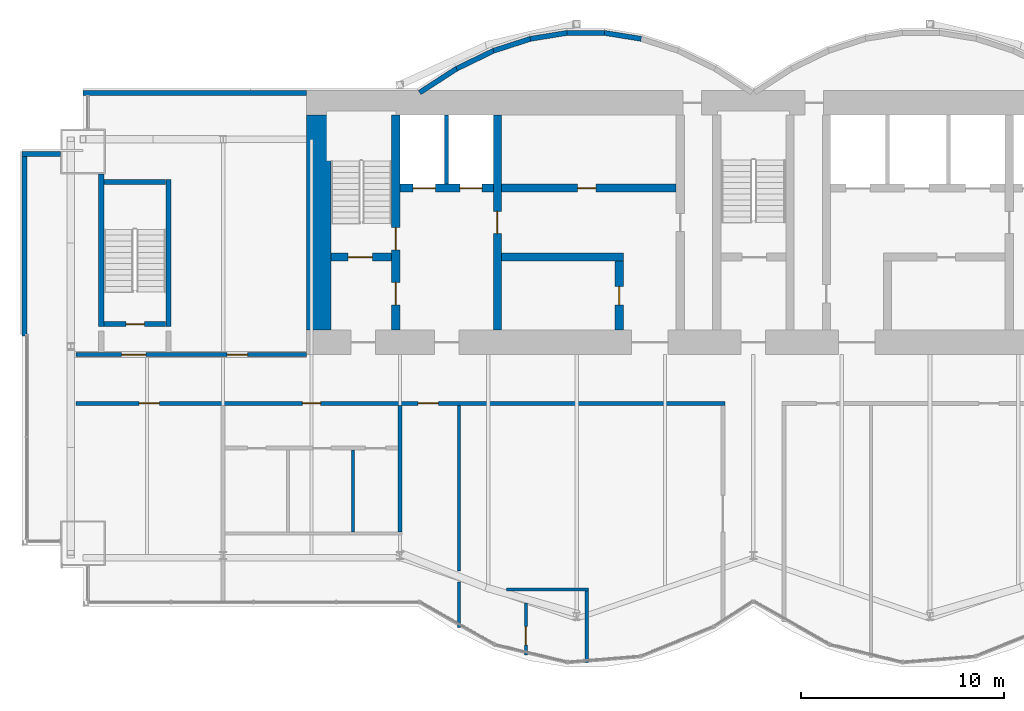
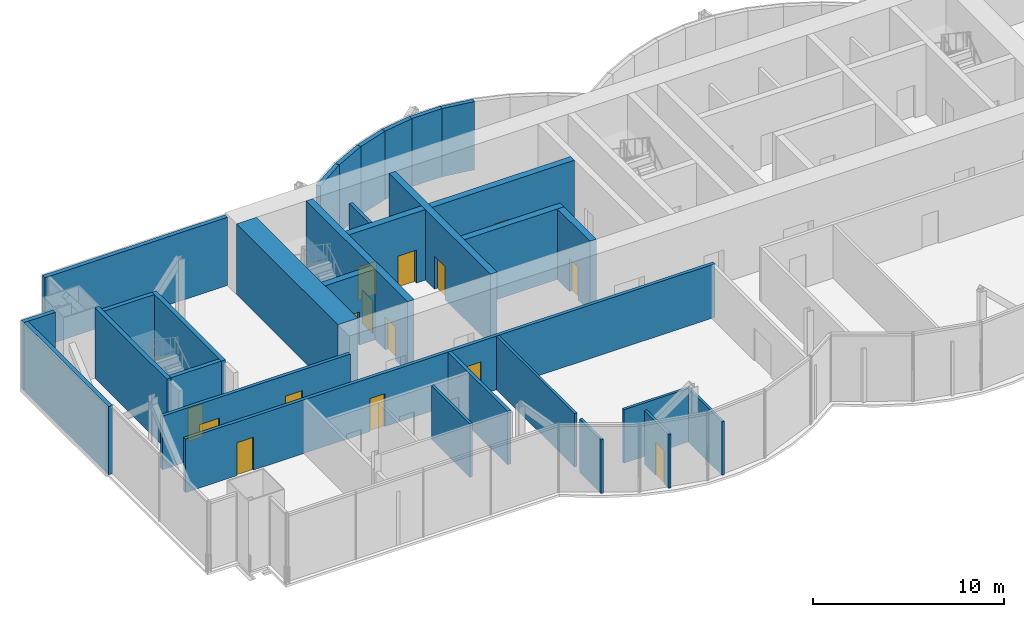
# One storey, part 10 of 16: 30 walls, 15 doors, 15 openings.
"""IFC4 building model written with IfcOpenShell, lengths in metres."""

from ifc_helpers import new_model, si_unit, direction, frame, frame_2d, origin, place, context, subcontext, project, spatial, rectangle, extrude, material, layer, layer_set, layer_usage, type_object, element, fill, save


model = new_model("IFC4")

# Units and contexts
model_context = context("Model", 3, precision=1e-05, world=origin(), true_north=direction((0.0, 1.0)))
body_context = subcontext(model_context, "Body", "Model", "MODEL_VIEW")
ifc_project = project(units=[si_unit("LENGTHUNIT", "METRE"), si_unit("AREAUNIT", "SQUARE_METRE"), si_unit("VOLUMEUNIT", "CUBIC_METRE"), si_unit("PLANEANGLEUNIT", "RADIAN"), si_unit("MASSUNIT", "GRAM", prefix="KILO")], contexts=[model_context])

# Site, building, storey
site_placement = place(None, origin())
site = spatial("IfcSite", under=ifc_project, at=site_placement, CompositionType="ELEMENT")
building_placement = place(site_placement, origin())
building = spatial("IfcBuilding", under=site, at=building_placement, Name="Bicima Exchange Tower", CompositionType="ELEMENT")
storey_placement = place(building_placement, frame((0.0, 0.0, 329.0)))
storey = spatial("IfcBuildingStorey", under=building, at=storey_placement, Name="L74", CompositionType="ELEMENT", Elevation=329.0)

# Wall
ifc_material_1 = material(Name="Gypsum board partition")
ifc_layer_1 = layer(ifc_material_1, 0.199951171875)
ifc_layer_set_1 = layer_set([ifc_layer_1], Name="Gypsum board partition")
wall_type_1 = type_object("IfcWallType", Name="Fire-rated gypsum partition 200 EI120", PredefinedType="PARTITIONING", material=ifc_layer_set_1)
wall_1_placement = place(storey_placement, frame((-15.10009765625, -4.60009765625, 0.0), z_axis=(0.0, 0.0, 1.0), x_axis=(0.0, 1.0, 0.0)))
element("IfcWall", 1, at=wall_1_placement, inside=storey, type_object=wall_type_1, Name="partition wall 9", PredefinedType="PARTITIONING", context=body_context, shape_type="SweptSolid", body=[
    extrude(rectangle(XDim=3.400146484375, YDim=0.199951171875, at=frame_2d((1.7001953125, 0.0))), origin(), (0.0, 0.0, 1.0), 3.418212890625),
])

# Wall, openings, doors
ifc_layer_2 = layer(ifc_material_1, 0.199951171875)
ifc_layer_set_2 = layer_set([ifc_layer_2], Name="Gypsum board partition")
wall_type_2 = type_object("IfcWallType", Name="Fire-rated gypsum partition 200 EI60", PredefinedType="PARTITIONING", material=ifc_layer_set_2)
wall_2_placement = place(storey_placement, frame((-33.340087890625, -15.39990234375, 0.0), z_axis=(0.0, 0.0, 1.0), x_axis=(1.0, 0.0, 0.0)))
wall_2 = element("IfcWall", 2, at=wall_2_placement, inside=storey, type_object=wall_type_2, Name="partition wall 4", PredefinedType="PARTITIONING", context=body_context, shape_type="SweptSolid", body=[
    extrude(rectangle(XDim=31.940185546875, YDim=0.199951171875, at=frame_2d((15.97021484375, 0.0))), origin(), (0.0, 0.0, 1.0), 3.418212890625),
])
opening_1_placement = place(wall_2_placement, frame((3.10009765625, 0.0, 0.0)))
opening_1 = element("IfcOpeningElement", 3, at=opening_1_placement, cuts=wall_2, Name="Opening L74-007", PredefinedType="OPENING", context=body_context, shape_type="SweptSolid", body=[
    extrude(rectangle(XDim=1.0, YDim=2.10009765625, at=frame_2d((0.5, 1.050048828125))), frame((0.0, 0.11181640625, 0.0), z_axis=(0.0, -1.0, 0.0), x_axis=(1.0, 0.0, 0.0)), (0.0, 0.0, 1.0), 0.223876953125),
])
opening_2_placement = place(wall_2_placement, frame((11.139892578125, 0.0, 0.0)))
opening_2 = element("IfcOpeningElement", 4, at=opening_2_placement, cuts=wall_2, Name="Opening L74-008", PredefinedType="OPENING", context=body_context, shape_type="SweptSolid", body=[
    extrude(rectangle(XDim=0.89990234375, YDim=2.10009765625, at=frame_2d((0.449951171875, 1.050048828125))), frame((0.0, 0.11181640625, 0.0), z_axis=(0.0, -1.0, 0.0), x_axis=(1.0, 0.0, 0.0)), (0.0, 0.0, 1.0), 0.223876953125),
])
opening_3_placement = place(wall_2_placement, frame((16.840087890625, 0.0, 0.0)))
opening_3 = element("IfcOpeningElement", 5, at=opening_3_placement, cuts=wall_2, Name="Opening L74-012", PredefinedType="OPENING", context=body_context, shape_type="SweptSolid", body=[
    extrude(rectangle(XDim=1.0, YDim=2.10009765625, at=frame_2d((0.5, 1.050048828125))), frame((0.0, 0.11181640625, 0.0), z_axis=(0.0, -1.0, 0.0), x_axis=(1.0, 0.0, 0.0)), (0.0, 0.0, 1.0), 0.223876953125),
])
ifc_material_2 = material(Name="Steel fire door leaf", Category="steel")
door_type_1 = type_object("IfcDoorType", Name="Door 1000 swing FD30S", OperationType="SINGLE_SWING_LEFT", PredefinedType="DOOR", material=ifc_material_2)
door_1_placement = place(opening_1_placement, frame((1.0, 0.0, 0.0), z_axis=(0.0, 0.0, 1.0), x_axis=(-1.0, 0.0, 0.0)))
door_1 = element("IfcDoor", 6, at=door_1_placement, inside=storey, type_object=door_type_1, Name="Door", OperationType="SINGLE_SWING_LEFT", OverallHeight=2.10009765625, OverallWidth=1.0, PredefinedType="DOOR", context=body_context, shape_type="SweptSolid", body=[
    extrude(rectangle(XDim=1.0, YDim=2.10009765625, at=frame_2d((0.5, 1.050048828125))), frame((0.0, 0.02490234375, 0.0), z_axis=(0.0, -1.0, 0.0), x_axis=(1.0, 0.0, 0.0)), (0.0, 0.0, 1.0), 0.050048828125),
])
fill(opening_1, door_1)
door_2_placement = place(opening_3_placement, frame((1.0, 0.0, 0.0), z_axis=(0.0, 0.0, 1.0), x_axis=(-1.0, 0.0, 0.0)))
door_2 = element("IfcDoor", 7, at=door_2_placement, inside=storey, type_object=door_type_1, Name="Door", OperationType="SINGLE_SWING_RIGHT", OverallHeight=2.10009765625, OverallWidth=1.0, PredefinedType="DOOR", context=body_context, shape_type="SweptSolid", body=[
    extrude(rectangle(XDim=1.0, YDim=2.10009765625, at=frame_2d((0.5, 1.050048828125))), frame((0.0, 0.02490234375, 0.0), z_axis=(0.0, -1.0, 0.0), x_axis=(1.0, 0.0, 0.0)), (0.0, 0.0, 1.0), 0.050048828125),
])
fill(opening_3, door_2)
door_type_2 = type_object("IfcDoorType", Name="Door 900 swing FD30S", OperationType="SINGLE_SWING_LEFT", PredefinedType="DOOR", material=ifc_material_2)
door_3_placement = place(opening_2_placement, frame((0.89990234375, 0.0, 0.0), z_axis=(0.0, 0.0, 1.0), x_axis=(-1.0, 0.0, 0.0)))
door_3 = element("IfcDoor", 8, at=door_3_placement, inside=storey, type_object=door_type_2, Name="Door", OperationType="SINGLE_SWING_RIGHT", OverallHeight=2.10009765625, OverallWidth=0.89990234375, PredefinedType="DOOR", context=body_context, shape_type="SweptSolid", body=[
    extrude(rectangle(XDim=0.89990234375, YDim=2.10009765625, at=frame_2d((0.449951171875, 1.050048828125))), frame((0.0, 0.02490234375, 0.0), z_axis=(0.0, -1.0, 0.0), x_axis=(1.0, 0.0, 0.0)), (0.0, 0.0, 1.0), 0.050048828125),
])
fill(opening_2, door_3)

wall_3_placement = place(storey_placement, frame((-33.340087890625, -13.0, 0.0), z_axis=(0.0, 0.0, 1.0), x_axis=(1.0, 0.0, 0.0)))
wall_3 = element("IfcWall", 9, at=wall_3_placement, inside=storey, type_object=wall_type_2, Name="partition wall 6", PredefinedType="PARTITIONING", context=body_context, shape_type="SweptSolid", body=[
    extrude(rectangle(XDim=11.340087890625, YDim=0.199951171875, at=frame_2d((5.669921875, 0.0))), origin(), (0.0, 0.0, 1.0), 3.418212890625),
])
opening_4_placement = place(wall_3_placement, frame((2.239990234375, 0.0, 0.0)))
opening_4 = element("IfcOpeningElement", 10, at=opening_4_placement, cuts=wall_3, Name="Opening L74-001", PredefinedType="OPENING", context=body_context, shape_type="SweptSolid", body=[
    extrude(rectangle(XDim=1.199951171875, YDim=2.10009765625, at=frame_2d((0.60009765625, 1.050048828125))), frame((0.0, 0.11181640625, 0.0), z_axis=(0.0, -1.0, 0.0), x_axis=(1.0, 0.0, 0.0)), (0.0, 0.0, 1.0), 0.223876953125),
])
opening_5_placement = place(wall_3_placement, frame((7.43994140625, 0.0, 0.0)))
opening_5 = element("IfcOpeningElement", 11, at=opening_5_placement, cuts=wall_3, Name="Opening L74-005", PredefinedType="OPENING", context=body_context, shape_type="SweptSolid", body=[
    extrude(rectangle(XDim=1.0, YDim=2.10009765625, at=frame_2d((0.5, 1.050048828125))), frame((0.0, 0.11181640625, 0.0), z_axis=(0.0, -1.0, 0.0), x_axis=(1.0, 0.0, 0.0)), (0.0, 0.0, 1.0), 0.223876953125),
])
door_4_placement = place(opening_5_placement, origin())
door_4 = element("IfcDoor", 12, at=door_4_placement, inside=storey, type_object=door_type_1, Name="Door", OperationType="SINGLE_SWING_LEFT", OverallHeight=2.10009765625, OverallWidth=1.0, PredefinedType="DOOR", context=body_context, shape_type="SweptSolid", body=[
    extrude(rectangle(XDim=1.0, YDim=2.10009765625, at=frame_2d((0.5, 1.050048828125))), frame((0.0, 0.02490234375, 0.0), z_axis=(0.0, -1.0, 0.0), x_axis=(1.0, 0.0, 0.0)), (0.0, 0.0, 1.0), 0.050048828125),
])
fill(opening_5, door_4)
door_type_3 = type_object("IfcDoorType", Name="Door 1200 swing FD30S", OperationType="SINGLE_SWING_LEFT", PredefinedType="DOOR", material=ifc_material_2)
door_5_placement = place(opening_4_placement, origin())
door_5 = element("IfcDoor", 13, at=door_5_placement, inside=storey, type_object=door_type_3, Name="Door", OperationType="SINGLE_SWING_LEFT", OverallHeight=2.10009765625, OverallWidth=1.199951171875, PredefinedType="DOOR", context=body_context, shape_type="SweptSolid", body=[
    extrude(rectangle(XDim=1.199951171875, YDim=2.10009765625, at=frame_2d((0.60009765625, 1.050048828125))), frame((0.0, 0.02490234375, 0.0), z_axis=(0.0, -1.0, 0.0), x_axis=(1.0, 0.0, 0.0)), (0.0, 0.0, 1.0), 0.050048828125),
])
fill(opening_4, door_5)

# Walls
wall_4_placement = place(storey_placement, frame((-17.39990234375, -21.72509765625, 0.0), z_axis=(0.0, 0.0, 1.0), x_axis=(0.0, 1.0, 0.0)))
element("IfcWall", 14, at=wall_4_placement, inside=storey, type_object=wall_type_2, Name="partition wall 17", PredefinedType="PARTITIONING", context=body_context, shape_type="SweptSolid", body=[
    extrude(rectangle(XDim=6.22509765625, YDim=0.199951171875, at=frame_2d((3.112548828125, 0.0))), origin(), (0.0, 0.0, 1.0), 3.418212890625),
])
ifc_layer_3 = layer(ifc_material_1, 0.14990234375)
ifc_layer_set_3 = layer_set([ifc_layer_3], Name="Gypsum board partition")
wall_type_3 = type_object("IfcWallType", Name="Gypsum partition 150", PredefinedType="PARTITIONING", material=ifc_layer_set_3)
wall_5_placement = place(storey_placement, frame((-12.152587890625, -24.56005859375, 0.0), z_axis=(0.0, 0.0, 1.0), x_axis=(1.0, 0.0, 0.0)))
element("IfcWall", 15, at=wall_5_placement, inside=storey, type_object=wall_type_3, Name="partition wall 1", PredefinedType="PARTITIONING", context=body_context, shape_type="SweptSolid", body=[
    extrude(rectangle(XDim=4.027587890625, YDim=0.14990234375, at=frame_2d((2.013671875, 0.0))), origin(), (0.0, 0.0, 1.0), 3.418212890625),
])
wall_6_placement = place(storey_placement, frame((-19.699951171875, -21.72509765625, 0.0), z_axis=(0.0, 0.0, 1.0), x_axis=(0.0, 1.0, 0.0)))
element("IfcWall", 16, at=wall_6_placement, inside=storey, type_object=wall_type_3, Name="partition wall 16", PredefinedType="PARTITIONING", context=body_context, shape_type="SweptSolid", body=[
    extrude(rectangle(XDim=4.025146484375, YDim=0.14990234375, at=frame_2d((2.0126953125, 0.0))), origin(), (0.0, 0.0, 1.0), 3.418212890625),
])
wall_7_placement = place(storey_placement, frame((-14.5, -26.43994140625, 0.0), z_axis=(0.0, 0.0, 1.0), x_axis=(0.0, 1.0, 0.0)))
element("IfcWall", 17, at=wall_7_placement, inside=storey, type_object=wall_type_3, Name="partition wall 18", PredefinedType="PARTITIONING", context=body_context, shape_type="SweptSolid", body=[
    extrude(rectangle(XDim=2.239990234375, YDim=0.14990234375, at=frame_2d((1.1201171875, 0.0))), origin(), (0.0, 0.0, 1.0), 3.418212890625),
])
wall_8_placement = place(storey_placement, frame((-14.5, -23.64990234375, 0.0), z_axis=(0.0, 0.0, 1.0), x_axis=(0.0, 1.0, 0.0)))
element("IfcWall", 18, at=wall_8_placement, inside=storey, type_object=wall_type_3, Name="partition wall 19", PredefinedType="PARTITIONING", context=body_context, shape_type="SweptSolid", body=[
    extrude(rectangle(XDim=8.14990234375, YDim=0.14990234375, at=frame_2d((4.074951171875, 0.0))), origin(), (0.0, 0.0, 1.0), 3.418212890625),
])

# Wall, opening, door
wall_9_placement = place(storey_placement, frame((-11.199951171875, -27.7900390625, 0.0), z_axis=(0.0, 0.0, 1.0), x_axis=(0.0, 1.0, 0.0)))
wall_9 = element("IfcWall", 19, at=wall_9_placement, inside=storey, type_object=wall_type_3, Name="partition wall 20", PredefinedType="PARTITIONING", context=body_context, shape_type="SweptSolid", body=[
    extrude(rectangle(XDim=2.55615234375, YDim=0.14990234375, at=frame_2d((1.278076171875, 0.0))), origin(), (0.0, 0.0, 1.0), 3.418212890625),
])
opening_6_placement = place(wall_9_placement, frame((0.5, 0.0, 0.0)))
opening_6 = element("IfcOpeningElement", 20, at=opening_6_placement, cuts=wall_9, Name="Opening L74-018", PredefinedType="OPENING", context=body_context, shape_type="SweptSolid", body=[
    extrude(rectangle(XDim=0.89990234375, YDim=2.10009765625, at=frame_2d((0.449951171875, 1.050048828125))), frame((0.0, 0.0869140625, 0.0), z_axis=(0.0, -1.0, 0.0), x_axis=(1.0, 0.0, 0.0)), (0.0, 0.0, 1.0), 0.173828125),
])
ifc_material_3 = material(Name="Timber door leaf", Category="wood")
door_type_4 = type_object("IfcDoorType", Name="Door 900 swing", OperationType="SINGLE_SWING_LEFT", PredefinedType="DOOR", material=ifc_material_3)
door_6_placement = place(opening_6_placement, frame((0.89990234375, 0.0, 0.0), z_axis=(0.0, 0.0, 1.0), x_axis=(-1.0, 0.0, 0.0)))
door_6 = element("IfcDoor", 21, at=door_6_placement, inside=storey, type_object=door_type_4, Name="Door", OperationType="SINGLE_SWING_RIGHT", OverallHeight=2.10009765625, OverallWidth=0.89990234375, PredefinedType="DOOR", context=body_context, shape_type="SweptSolid", body=[
    extrude(rectangle(XDim=0.89990234375, YDim=2.10009765625, at=frame_2d((0.449951171875, 1.050048828125))), frame((0.0, 0.02490234375, 0.0), z_axis=(0.0, -1.0, 0.0), x_axis=(1.0, 0.0, 0.0)), (0.0, 0.0, 1.0), 0.050048828125),
])
fill(opening_6, door_6)

# Walls
wall_10_placement = place(storey_placement, frame((-8.199951171875, -28.159912109375, 0.0), z_axis=(0.0, 0.0, 1.0), x_axis=(0.0, 1.0, 0.0)))
element("IfcWall", 22, at=wall_10_placement, inside=storey, type_object=wall_type_3, Name="partition wall 21", PredefinedType="PARTITIONING", context=body_context, shape_type="SweptSolid", body=[
    extrude(rectangle(XDim=3.52490234375, YDim=0.14990234375, at=frame_2d((1.762451171875, 0.0))), origin(), (0.0, 0.0, 1.0), 3.418212890625),
])
ifc_material_4 = material(Name="Concrete C40/50", Category="concrete")
ifc_layer_4 = layer(ifc_material_4, 1.199951171875)
ifc_layer_set_4 = layer_set([ifc_layer_4], Name="Concrete C40/50")
wall_type_4 = type_object("IfcWallType", Name="RC core wall 1200 C40/50", PredefinedType="SHEAR", material=ifc_layer_set_4)
wall_11_placement = place(storey_placement, frame((-21.39990234375, -11.800048828125, 0.0), z_axis=(0.0, 0.0, 1.0), x_axis=(0.0, 1.0, 0.0)))
element("IfcWall", 23, at=wall_11_placement, inside=storey, type_object=wall_type_4, Name="Core wall west", PredefinedType="SHEAR", context=body_context, shape_type="SweptSolid", body=[
    extrude(rectangle(XDim=10.60009765625, YDim=1.199951171875, at=frame_2d((5.300048828125, 0.0))), origin(), (0.0, 0.0, 1.0), 4.5),
])
ifc_layer_5 = layer(ifc_material_4, 0.39990234375)
ifc_layer_set_5 = layer_set([ifc_layer_5], Name="Concrete C40/50")
wall_type_5 = type_object("IfcWallType", Name="RC core wall 400 C40/50", PredefinedType="SHEAR", material=ifc_layer_set_5)
wall_12_placement = place(storey_placement, frame((-12.39990234375, -8.199951171875, 0.0), z_axis=(0.0, 0.0, 1.0), x_axis=(1.0, 0.0, 0.0)))
element("IfcWall", 24, at=wall_12_placement, inside=storey, type_object=wall_type_5, Name="shear wall 2", PredefinedType="SHEAR", context=body_context, shape_type="SweptSolid", body=[
    extrude(rectangle(XDim=6.0, YDim=0.39990234375, at=frame_2d((3.0, 0.0))), origin(), (0.0, 0.0, 1.0), 4.5),
])

# Wall, openings, doors
wall_13_placement = place(storey_placement, frame((-17.39990234375, -4.800048828125, 0.0), z_axis=(0.0, 0.0, 1.0), x_axis=(1.0, 0.0, 0.0)))
wall_13 = element("IfcWall", 25, at=wall_13_placement, inside=storey, type_object=wall_type_5, Name="shear wall 6", PredefinedType="SHEAR", context=body_context, shape_type="SweptSolid", body=[
    extrude(rectangle(XDim=13.599853515625, YDim=0.39990234375, at=frame_2d((6.7998046875, 0.0))), origin(), (0.0, 0.0, 1.0), 4.5),
])
opening_7_placement = place(wall_13_placement, frame((0.64990234375, 0.0, 0.0)))
opening_7 = element("IfcOpeningElement", 26, at=opening_7_placement, cuts=wall_13, Name="Opening LD-FF1-L74", PredefinedType="OPENING", context=body_context, shape_type="SweptSolid", body=[
    extrude(rectangle(XDim=1.10009765625, YDim=2.10009765625, at=frame_2d((0.550048828125, 1.050048828125))), frame((0.0, 0.2119140625, 0.0), z_axis=(0.0, -1.0, 0.0), x_axis=(1.0, 0.0, 0.0)), (0.0, 0.0, 1.0), 0.423828125),
])
opening_8_placement = place(wall_13_placement, frame((2.949951171875, 0.0, 0.0)))
opening_8 = element("IfcOpeningElement", 27, at=opening_8_placement, cuts=wall_13, Name="Opening LD-FF3-L74", PredefinedType="OPENING", context=body_context, shape_type="SweptSolid", body=[
    extrude(rectangle(XDim=1.10009765625, YDim=2.10009765625, at=frame_2d((0.550048828125, 1.050048828125))), frame((0.0, 0.2119140625, 0.0), z_axis=(0.0, -1.0, 0.0), x_axis=(1.0, 0.0, 0.0)), (0.0, 0.0, 1.0), 0.423828125),
])
opening_9_placement = place(wall_13_placement, frame((8.75, 0.0, 0.0)))
opening_9 = element("IfcOpeningElement", 28, at=opening_9_placement, cuts=wall_13, Name="Opening L74-C12", PredefinedType="OPENING", context=body_context, shape_type="SweptSolid", body=[
    extrude(rectangle(XDim=0.89990234375, YDim=2.10009765625, at=frame_2d((0.449951171875, 1.050048828125))), frame((0.0, 0.2119140625, 0.0), z_axis=(0.0, -1.0, 0.0), x_axis=(1.0, 0.0, 0.0)), (0.0, 0.0, 1.0), 0.423828125),
])
door_7_placement = place(opening_9_placement, origin())
door_7 = element("IfcDoor", 29, at=door_7_placement, inside=storey, type_object=door_type_2, Name="Core door", OperationType="SINGLE_SWING_RIGHT", OverallHeight=2.10009765625, OverallWidth=0.89990234375, PredefinedType="DOOR", context=body_context, shape_type="SweptSolid", body=[
    extrude(rectangle(XDim=0.89990234375, YDim=2.10009765625, at=frame_2d((0.449951171875, 1.050048828125))), frame((0.0, 0.02490234375, 0.0), z_axis=(0.0, -1.0, 0.0), x_axis=(1.0, 0.0, 0.0)), (0.0, 0.0, 1.0), 0.050048828125),
])
fill(opening_9, door_7)
ifc_material_5 = material(Name="Stainless steel", Category="steel")
door_type_5 = type_object("IfcDoorType", Name="Lift landing door 1100 sliding", OperationType="DOUBLE_DOOR_SLIDING", PredefinedType="DOOR", material=ifc_material_5)
door_8_placement = place(opening_7_placement, origin())
door_8 = element("IfcDoor", 30, at=door_8_placement, inside=storey, type_object=door_type_5, Name="Lift landing door FF1", OperationType="DOUBLE_DOOR_SLIDING", OverallHeight=2.10009765625, OverallWidth=1.10009765625, PredefinedType="DOOR", context=body_context, shape_type="SweptSolid", body=[
    extrude(rectangle(XDim=1.10009765625, YDim=2.10009765625, at=frame_2d((0.550048828125, 1.050048828125))), frame((0.0, 0.02490234375, 0.0), z_axis=(0.0, -1.0, 0.0), x_axis=(1.0, 0.0, 0.0)), (0.0, 0.0, 1.0), 0.050048828125),
])
fill(opening_7, door_8)
door_9_placement = place(opening_8_placement, origin())
door_9 = element("IfcDoor", 31, at=door_9_placement, inside=storey, type_object=door_type_5, Name="Lift landing door FF3", OperationType="DOUBLE_DOOR_SLIDING", OverallHeight=2.10009765625, OverallWidth=1.10009765625, PredefinedType="DOOR", context=body_context, shape_type="SweptSolid", body=[
    extrude(rectangle(XDim=1.10009765625, YDim=2.10009765625, at=frame_2d((0.550048828125, 1.050048828125))), frame((0.0, 0.02490234375, 0.0), z_axis=(0.0, -1.0, 0.0), x_axis=(1.0, 0.0, 0.0)), (0.0, 0.0, 1.0), 0.050048828125),
])
fill(opening_8, door_9)

# Wall, opening, door
wall_14_placement = place(storey_placement, frame((-12.60009765625, -11.800048828125, 0.0), z_axis=(0.0, 0.0, 1.0), x_axis=(0.0, 1.0, 0.0)))
wall_14 = element("IfcWall", 32, at=wall_14_placement, inside=storey, type_object=wall_type_5, Name="shear wall 10", PredefinedType="SHEAR", context=body_context, shape_type="SweptSolid", body=[
    extrude(rectangle(XDim=10.60009765625, YDim=0.39990234375, at=frame_2d((5.300048828125, 0.0))), origin(), (0.0, 0.0, 1.0), 4.5),
])
opening_10_placement = place(wall_14_placement, frame((4.75, 0.0, 0.0)))
opening_10 = element("IfcOpeningElement", 33, at=opening_10_placement, cuts=wall_14, Name="Opening L74-C07", PredefinedType="OPENING", context=body_context, shape_type="SweptSolid", body=[
    extrude(rectangle(XDim=1.10009765625, YDim=2.10009765625, at=frame_2d((0.550048828125, 1.050048828125))), frame((0.0, 0.2119140625, 0.0), z_axis=(0.0, -1.0, 0.0), x_axis=(1.0, 0.0, 0.0)), (0.0, 0.0, 1.0), 0.423828125),
])
door_type_6 = type_object("IfcDoorType", Name="Door 1100 swing FD60S", OperationType="SINGLE_SWING_LEFT", PredefinedType="DOOR", material=ifc_material_2)
door_10_placement = place(opening_10_placement, origin())
door_10 = element("IfcDoor", 34, at=door_10_placement, inside=storey, type_object=door_type_6, Name="Core door", OperationType="SINGLE_SWING_LEFT", OverallHeight=2.10009765625, OverallWidth=1.10009765625, PredefinedType="DOOR", context=body_context, shape_type="SweptSolid", body=[
    extrude(rectangle(XDim=1.10009765625, YDim=2.10009765625, at=frame_2d((0.550048828125, 1.050048828125))), frame((0.0, 0.02490234375, 0.0), z_axis=(0.0, -1.0, 0.0), x_axis=(1.0, 0.0, 0.0)), (0.0, 0.0, 1.0), 0.050048828125),
])
fill(opening_10, door_10)

wall_15_placement = place(storey_placement, frame((-6.60009765625, -11.800048828125, 0.0), z_axis=(0.0, 0.0, 1.0), x_axis=(0.0, 1.0, 0.0)))
wall_15 = element("IfcWall", 35, at=wall_15_placement, inside=storey, type_object=wall_type_5, Name="shear wall 11", PredefinedType="SHEAR", context=body_context, shape_type="SweptSolid", body=[
    extrude(rectangle(XDim=3.400146484375, YDim=0.39990234375, at=frame_2d((1.7001953125, 0.0))), origin(), (0.0, 0.0, 1.0), 4.5),
])
opening_11_placement = place(wall_15_placement, frame((1.25, 0.0, 0.0)))
opening_11 = element("IfcOpeningElement", 36, at=opening_11_placement, cuts=wall_15, Name="Opening L74-C13", PredefinedType="OPENING", context=body_context, shape_type="SweptSolid", body=[
    extrude(rectangle(XDim=0.89990234375, YDim=2.10009765625, at=frame_2d((0.449951171875, 1.050048828125))), frame((0.0, 0.2119140625, 0.0), z_axis=(0.0, -1.0, 0.0), x_axis=(1.0, 0.0, 0.0)), (0.0, 0.0, 1.0), 0.423828125),
])
door_11_placement = place(opening_11_placement, origin())
door_11 = element("IfcDoor", 37, at=door_11_placement, inside=storey, type_object=door_type_2, Name="Core door", OperationType="SINGLE_SWING_LEFT", OverallHeight=2.10009765625, OverallWidth=0.89990234375, PredefinedType="DOOR", context=body_context, shape_type="SweptSolid", body=[
    extrude(rectangle(XDim=0.89990234375, YDim=2.10009765625, at=frame_2d((0.449951171875, 1.050048828125))), frame((0.0, 0.02490234375, 0.0), z_axis=(0.0, -1.0, 0.0), x_axis=(1.0, 0.0, 0.0)), (0.0, 0.0, 1.0), 0.050048828125),
])
fill(opening_11, door_11)

ifc_material_6 = material(Name="Concrete C50/60", Category="concrete")
ifc_layer_6 = layer(ifc_material_6, 0.39990234375)
ifc_layer_set_6 = layer_set([ifc_layer_6], Name="Concrete C50/60")
wall_type_6 = type_object("IfcWallType", Name="RC core wall 400 C50/60", PredefinedType="SHEAR", material=ifc_layer_set_6)
wall_16_placement = place(storey_placement, frame((-20.800048828125, -8.199951171875, 0.0), z_axis=(0.0, 0.0, 1.0), x_axis=(1.0, 0.0, 0.0)))
wall_16 = element("IfcWall", 38, at=wall_16_placement, inside=storey, type_object=wall_type_6, Name="stair wall 1", PredefinedType="SHEAR", context=body_context, shape_type="SweptSolid", body=[
    extrude(rectangle(XDim=3.0, YDim=0.39990234375, at=frame_2d((1.5, 0.0))), origin(), (0.0, 0.0, 1.0), 4.5),
])
opening_12_placement = place(wall_16_placement, frame((0.85009765625, 0.0, 0.0)))
opening_12 = element("IfcOpeningElement", 39, at=opening_12_placement, cuts=wall_16, Name="Opening L74-C01", PredefinedType="OPENING", context=body_context, shape_type="SweptSolid", body=[
    extrude(rectangle(XDim=1.199951171875, YDim=2.10009765625, at=frame_2d((0.60009765625, 1.050048828125))), frame((0.0, 0.2119140625, 0.0), z_axis=(0.0, -1.0, 0.0), x_axis=(1.0, 0.0, 0.0)), (0.0, 0.0, 1.0), 0.423828125),
])
door_type_7 = type_object("IfcDoorType", Name="Door 1200 swing FD60S", OperationType="SINGLE_SWING_LEFT", PredefinedType="DOOR", material=ifc_material_2)
door_12_placement = place(opening_12_placement, origin())
door_12 = element("IfcDoor", 40, at=door_12_placement, inside=storey, type_object=door_type_7, Name="Core door", OperationType="SINGLE_SWING_LEFT", OverallHeight=2.10009765625, OverallWidth=1.199951171875, PredefinedType="DOOR", context=body_context, shape_type="SweptSolid", body=[
    extrude(rectangle(XDim=1.199951171875, YDim=2.10009765625, at=frame_2d((0.60009765625, 1.050048828125))), frame((0.0, 0.02490234375, 0.0), z_axis=(0.0, -1.0, 0.0), x_axis=(1.0, 0.0, 0.0)), (0.0, 0.0, 1.0), 0.050048828125),
])
fill(opening_12, door_12)

# Wall, openings, doors
wall_17_placement = place(storey_placement, frame((-17.60009765625, -11.800048828125, 0.0), z_axis=(0.0, 0.0, 1.0), x_axis=(0.0, 1.0, 0.0)))
wall_17 = element("IfcWall", 41, at=wall_17_placement, inside=storey, type_object=wall_type_6, Name="stair wall 8", PredefinedType="SHEAR", context=body_context, shape_type="SweptSolid", body=[
    extrude(rectangle(XDim=10.60009765625, YDim=0.39990234375, at=frame_2d((5.300048828125, 0.0))), origin(), (0.0, 0.0, 1.0), 4.5),
])
opening_13_placement = place(wall_17_placement, frame((1.25, 0.0, 0.0)))
opening_13 = element("IfcOpeningElement", 42, at=opening_13_placement, cuts=wall_17, Name="Opening L74-C02", PredefinedType="OPENING", context=body_context, shape_type="SweptSolid", body=[
    extrude(rectangle(XDim=1.10009765625, YDim=2.10009765625, at=frame_2d((0.550048828125, 1.050048828125))), frame((0.0, 0.2119140625, 0.0), z_axis=(0.0, -1.0, 0.0), x_axis=(1.0, 0.0, 0.0)), (0.0, 0.0, 1.0), 0.423828125),
])
opening_14_placement = place(wall_17_placement, frame((3.949951171875, 0.0, 0.0)))
opening_14 = element("IfcOpeningElement", 43, at=opening_14_placement, cuts=wall_17, Name="Opening L74-C06", PredefinedType="OPENING", context=body_context, shape_type="SweptSolid", body=[
    extrude(rectangle(XDim=1.10009765625, YDim=2.10009765625, at=frame_2d((0.550048828125, 1.050048828125))), frame((0.0, 0.2119140625, 0.0), z_axis=(0.0, -1.0, 0.0), x_axis=(1.0, 0.0, 0.0)), (0.0, 0.0, 1.0), 0.423828125),
])
door_13_placement = place(opening_13_placement, frame((1.10009765625, 0.0, 0.0), z_axis=(0.0, 0.0, 1.0), x_axis=(-1.0, 0.0, 0.0)))
door_13 = element("IfcDoor", 44, at=door_13_placement, inside=storey, type_object=door_type_6, Name="Core door", OperationType="SINGLE_SWING_LEFT", OverallHeight=2.10009765625, OverallWidth=1.10009765625, PredefinedType="DOOR", context=body_context, shape_type="SweptSolid", body=[
    extrude(rectangle(XDim=1.10009765625, YDim=2.10009765625, at=frame_2d((0.550048828125, 1.050048828125))), frame((0.0, 0.02490234375, 0.0), z_axis=(0.0, -1.0, 0.0), x_axis=(1.0, 0.0, 0.0)), (0.0, 0.0, 1.0), 0.050048828125),
])
fill(opening_13, door_13)
door_14_placement = place(opening_14_placement, frame((1.10009765625, 0.0, 0.0), z_axis=(0.0, 0.0, 1.0), x_axis=(-1.0, 0.0, 0.0)))
door_14 = element("IfcDoor", 45, at=door_14_placement, inside=storey, type_object=door_type_6, Name="Core door", OperationType="SINGLE_SWING_LEFT", OverallHeight=2.10009765625, OverallWidth=1.10009765625, PredefinedType="DOOR", context=body_context, shape_type="SweptSolid", body=[
    extrude(rectangle(XDim=1.10009765625, YDim=2.10009765625, at=frame_2d((0.550048828125, 1.050048828125))), frame((0.0, 0.02490234375, 0.0), z_axis=(0.0, -1.0, 0.0), x_axis=(1.0, 0.0, 0.0)), (0.0, 0.0, 1.0), 0.050048828125),
])
fill(opening_14, door_14)

# Walls
ifc_layer_7 = layer(ifc_material_6, 0.25)
ifc_layer_set_7 = layer_set([ifc_layer_7], Name="Concrete C50/60")
wall_type_7 = type_object("IfcWallType", Name="RC stair enclosure wall 250 C50/60", PredefinedType="SHEAR", material=ifc_layer_set_7)
wall_18_placement = place(storey_placement, frame((-32.10009765625, -11.625, 0.0), z_axis=(0.0, 0.0, 1.0), x_axis=(0.0, 1.0, 0.0)))
element("IfcWall", 46, at=wall_18_placement, inside=storey, type_object=wall_type_7, Name="West end exit stair wall W", PredefinedType="SHEAR", context=body_context, shape_type="SweptSolid", body=[
    extrude(rectangle(XDim=7.52490234375, YDim=0.25, at=frame_2d((3.762451171875, 0.0))), origin(), (0.0, 0.0, 1.0), 4.5),
])
wall_19_placement = place(storey_placement, frame((-28.800048828125, -11.625, 0.0), z_axis=(0.0, 0.0, 1.0), x_axis=(0.0, 1.0, 0.0)))
element("IfcWall", 47, at=wall_19_placement, inside=storey, type_object=wall_type_7, Name="West end exit stair wall E", PredefinedType="SHEAR", context=body_context, shape_type="SweptSolid", body=[
    extrude(rectangle(XDim=7.25, YDim=0.25, at=frame_2d((3.625, 0.0))), origin(), (0.0, 0.0, 1.0), 4.5),
])

# Wall, opening, door
wall_20_placement = place(storey_placement, frame((-31.97509765625, -11.5, 0.0), z_axis=(0.0, 0.0, 1.0), x_axis=(1.0, 0.0, 0.0)))
wall_20 = element("IfcWall", 48, at=wall_20_placement, inside=storey, type_object=wall_type_7, Name="West end exit stair wall S", PredefinedType="SHEAR", context=body_context, shape_type="SweptSolid", body=[
    extrude(rectangle(XDim=3.050048828125, YDim=0.25, at=frame_2d((1.52490234375, 0.0))), origin(), (0.0, 0.0, 1.0), 4.5),
])
opening_15_placement = place(wall_20_placement, frame((1.10009765625, 0.0, 0.0)))
opening_15 = element("IfcOpeningElement", 49, at=opening_15_placement, cuts=wall_20, Name="Opening L74-002", PredefinedType="OPENING", context=body_context, shape_type="SweptSolid", body=[
    extrude(rectangle(XDim=0.89990234375, YDim=2.10009765625, at=frame_2d((0.449951171875, 1.050048828125))), frame((0.0, 0.136962890625, 0.0), z_axis=(0.0, -1.0, 0.0), x_axis=(1.0, 0.0, 0.0)), (0.0, 0.0, 1.0), 0.27392578125),
])
door_type_8 = type_object("IfcDoorType", Name="Door 900 swing FD60S", OperationType="SINGLE_SWING_LEFT", PredefinedType="DOOR", material=ifc_material_2)
door_15_placement = place(opening_15_placement, origin())
door_15 = element("IfcDoor", 50, at=door_15_placement, inside=storey, type_object=door_type_8, Name="Door", OperationType="SINGLE_SWING_LEFT", OverallHeight=2.10009765625, OverallWidth=0.89990234375, PredefinedType="DOOR", context=body_context, shape_type="SweptSolid", body=[
    extrude(rectangle(XDim=0.89990234375, YDim=2.10009765625, at=frame_2d((0.449951171875, 1.050048828125))), frame((0.0, 0.02490234375, 0.0), z_axis=(0.0, -1.0, 0.0), x_axis=(1.0, 0.0, 0.0)), (0.0, 0.0, 1.0), 0.050048828125),
])
fill(opening_15, door_15)

# Walls
wall_21_placement = place(storey_placement, frame((-31.97509765625, -4.5, 0.0), z_axis=(0.0, 0.0, 1.0), x_axis=(1.0, 0.0, 0.0)))
element("IfcWall", 51, at=wall_21_placement, inside=storey, type_object=wall_type_7, Name="West end exit stair wall N", PredefinedType="SHEAR", context=body_context, shape_type="SweptSolid", body=[
    extrude(rectangle(XDim=3.050048828125, YDim=0.25, at=frame_2d((1.52490234375, 0.0))), origin(), (0.0, 0.0, 1.0), 4.5),
])
ifc_layer_8 = layer(ifc_material_4, 0.25)
ifc_layer_set_8 = layer_set([ifc_layer_8], Name="Concrete C40/50")
ifc_layer_usage = layer_usage(ifc_layer_set_8, "AXIS2", "POSITIVE", -0.125)
wall_type_8 = type_object("IfcWallType", Name="Rear backup wall 250", PredefinedType="STANDARD", material=ifc_layer_set_8)
wall_22_placement = place(storey_placement, frame((-5.52001953125, 2.543212890625, 0.0), z_axis=(0.0, 0.0, 1.0), x_axis=(-0.987181718931, 0.159600293885, 0.0)))
element("IfcWall", 52, at=wall_22_placement, inside=storey, type_object=wall_type_8, material=ifc_layer_usage, Name="Rear backup wall L74 14", PredefinedType="STANDARD", context=body_context, shape_type="SweptSolid", body=[
    extrude(rectangle(XDim=1.857177734375, YDim=0.25, at=frame_2d((0.9287109375, 0.0))), origin(), (0.0, 0.0, 1.0), 4.35009765625),
])
wall_23_placement = place(storey_placement, frame((-7.333251953125, 2.837890625, 0.0), z_axis=(0.0, 0.0, 1.0), x_axis=(-1.0, 0.0, 0.0)))
element("IfcWall", 53, at=wall_23_placement, inside=storey, type_object=wall_type_8, material=ifc_layer_usage, Name="Rear backup wall L74 15", PredefinedType="STANDARD", context=body_context, shape_type="SweptSolid", body=[
    extrude(rectangle(XDim=1.83349609375, YDim=0.25, at=frame_2d((0.916748046875, 0.0))), origin(), (0.0, 0.0, 1.0), 4.35009765625),
])
wall_24_placement = place(storey_placement, frame((-9.146728515625, 2.839599609375, 0.0), z_axis=(0.0, 0.0, 1.0), x_axis=(-0.987181718931, -0.159600293885, 0.0)))
element("IfcWall", 54, at=wall_24_placement, inside=storey, type_object=wall_type_8, material=ifc_layer_usage, Name="Rear backup wall L74 16", PredefinedType="STANDARD", context=body_context, shape_type="SweptSolid", body=[
    extrude(rectangle(XDim=1.857177734375, YDim=0.25, at=frame_2d((0.9287109375, 0.0))), origin(), (0.0, 0.0, 1.0), 4.35009765625),
])
wall_25_placement = place(storey_placement, frame((-10.961669921875, 2.5478515625, 0.0), z_axis=(0.0, 0.0, 1.0), x_axis=(-0.951495806175, -0.307661714928, 0.0)))
element("IfcWall", 55, at=wall_25_placement, inside=storey, type_object=wall_type_8, material=ifc_layer_usage, Name="Rear backup wall L74 17", PredefinedType="STANDARD", context=body_context, shape_type="SweptSolid", body=[
    extrude(rectangle(XDim=1.9267578125, YDim=0.25, at=frame_2d((0.96337890625, 0.0))), origin(), (0.0, 0.0, 1.0), 4.35009765625),
])
wall_26_placement = place(storey_placement, frame((-12.77880859375, 1.961669921875, 0.0), z_axis=(0.0, 0.0, 1.0), x_axis=(-0.89982408427, -0.436252928206, 0.0)))
element("IfcWall", 56, at=wall_26_placement, inside=storey, type_object=wall_type_8, material=ifc_layer_usage, Name="Rear backup wall L74 18", PredefinedType="STANDARD", context=body_context, shape_type="SweptSolid", body=[
    extrude(rectangle(XDim=2.03759765625, YDim=0.25, at=frame_2d((1.018798828125, 0.0))), origin(), (0.0, 0.0, 1.0), 4.35009765625),
])
wall_27_placement = place(storey_placement, frame((-14.598876953125, 1.080078125, 0.0), z_axis=(0.0, 0.0, 1.0), x_axis=(-0.83981312244, -0.542875602121, 0.0)))
element("IfcWall", 57, at=wall_27_placement, inside=storey, type_object=wall_type_8, material=ifc_layer_usage, Name="Rear backup wall L74 19", PredefinedType="STANDARD", context=body_context, shape_type="SweptSolid", body=[
    extrude(rectangle(XDim=2.182861328125, YDim=0.25, at=frame_2d((1.09130859375, 0.0))), origin(), (0.0, 0.0, 1.0), 4.35009765625),
])
wall_28_placement = place(storey_placement, frame((-22.0, -0.125, 0.0), z_axis=(0.0, 0.0, 1.0), x_axis=(-1.0, 0.0, 0.0)))
element("IfcWall", 58, at=wall_28_placement, inside=storey, type_object=wall_type_8, material=ifc_layer_usage, Name="Rear backup wall L74 20", PredefinedType="STANDARD", context=body_context, shape_type="SweptSolid", body=[
    extrude(rectangle(XDim=11.0, YDim=0.25, at=frame_2d((5.5, 0.0))), origin(), (0.0, 0.0, 1.0), 4.35009765625),
])
wall_29_placement = place(storey_placement, frame((-34.10009765625, -3.125, 0.0), z_axis=(0.0, 0.0, 1.0), x_axis=(-1.0, 0.0, 0.0)))
element("IfcWall", 59, at=wall_29_placement, inside=storey, type_object=wall_type_8, material=ifc_layer_usage, Name="Rear backup wall L74 22", PredefinedType="STANDARD", context=body_context, shape_type="SweptSolid", body=[
    extrude(rectangle(XDim=1.89990234375, YDim=0.25, at=frame_2d((0.949951171875, 0.0))), origin(), (0.0, 0.0, 1.0), 4.35009765625),
])
wall_30_placement = place(storey_placement, frame((-35.875, -3.0, 0.0), z_axis=(0.0, 0.0, 1.0), x_axis=(0.0, -1.0, 0.0)))
element("IfcWall", 60, at=wall_30_placement, inside=storey, type_object=wall_type_8, material=ifc_layer_usage, Name="Rear backup wall L74 23", PredefinedType="STANDARD", context=body_context, shape_type="SweptSolid", body=[
    extrude(rectangle(XDim=9.090087890625, YDim=0.25, at=frame_2d((4.544921875, 0.0))), origin(), (0.0, 0.0, 1.0), 4.35009765625),
])

save(model, "model.ifc")
